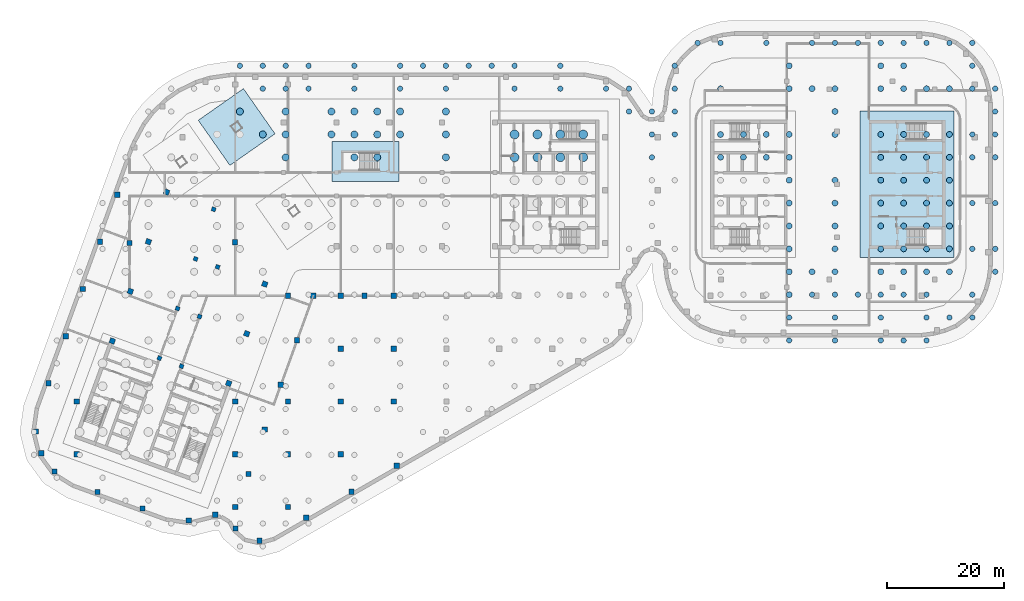
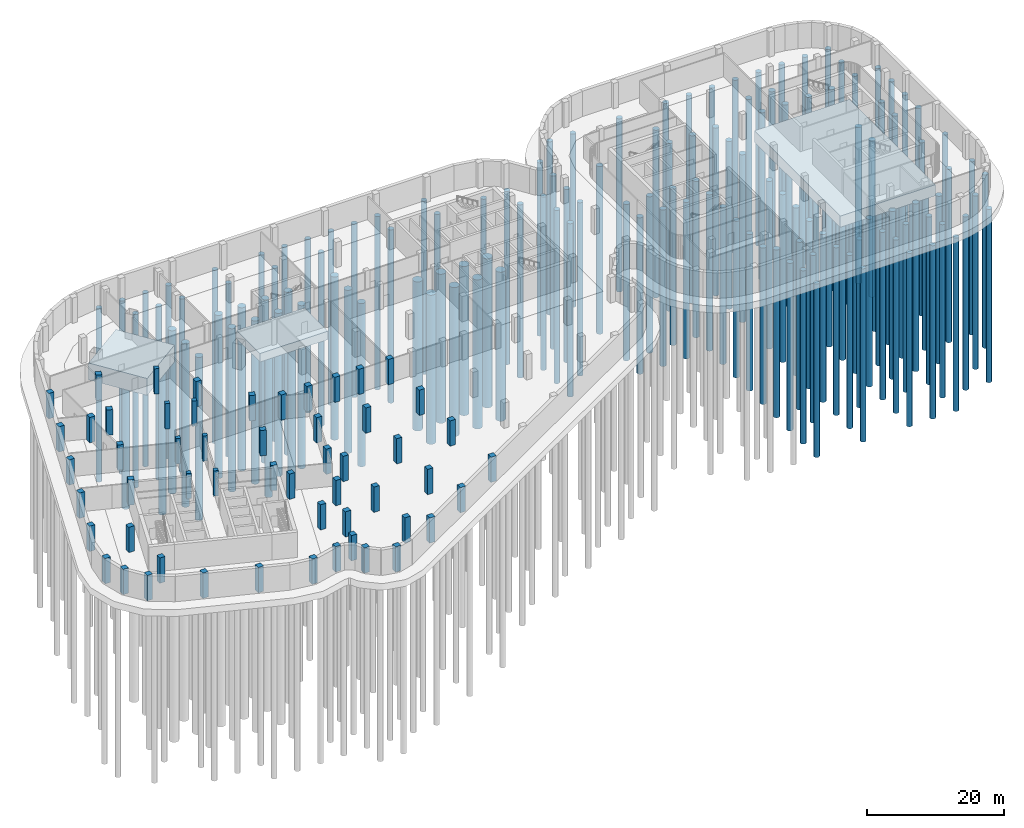
# One storey, part 2 of 18: 159 piles, 55 columns, 3 footings.
"""IFC4 building model written with IfcOpenShell, lengths in metres."""

import ifcopenshell
import ifcopenshell.guid

model = None  # the IFC model being written
_history = None  # IfcOwnerHistory: only IFC2X3 demands one
_inside = {}  # id of a spatial element -> (the spatial element, [elements in it])
_under = {}  # id of a project, library or spatial element -> (it, [spatial elements below it])
_declared = {}  # id of a project -> (the project, [libraries it declares])
_typed = {}  # id of a type object -> (the type object, [elements of that type])
_made_of = {}  # id of a material, layer set ... -> (it, [elements and type objects made of it])


def new_model(schema):
    """Start an empty IFC model of exactly this schema.

    Asked for "IFC4X3", IfcOpenShell would pick the latest addendum, in which some entities
    have other attributes; the version numbers below select the first issue.
    IFC2X3 requires an IfcOwnerHistory on every rooted entity: one is made here for all.
    """
    global model, _history
    if schema == "IFC4X3":
        model = ifcopenshell.file(schema_version=(4, 3, 0, 0))
    else:
        model = ifcopenshell.file(schema=schema)
    _inside.clear()
    _under.clear()
    _declared.clear()
    _typed.clear()
    _made_of.clear()
    _history = None
    if model.schema == "IFC2X3":
        org = make("IfcOrganization", Name="unknown")
        user = make(
            "IfcPersonAndOrganization",
            ThePerson=make("IfcPerson", FamilyName="unknown"),
            TheOrganization=org,
        )
        app = make(
            "IfcApplication",
            ApplicationDeveloper=org,
            Version="unknown",
            ApplicationFullName="unknown",
            ApplicationIdentifier="unknown",
        )
        _history = make(
            "IfcOwnerHistory",
            OwningUser=user,
            OwningApplication=app,
            ChangeAction="ADDED",
            CreationDate=0,
        )
    return model


def make(cls, **values):
    """One entity of the class cls with the attributes given. An attribute that is None is left unset."""
    return model.create_entity(
        cls, **{name: value for name, value in values.items() if value is not None}
    )


def rooted(cls, **values):
    """An entity with a GlobalId (a new one), such as an element, a storey or a relation."""
    return make(cls, GlobalId=ifcopenshell.guid.new(), OwnerHistory=_history, **values)


def si_unit(unit_type, name, prefix=None):
    """IfcSIUnit, for example si_unit("LENGTHUNIT", "METRE", prefix="MILLI")."""
    return make("IfcSIUnit", UnitType=unit_type, Prefix=prefix, Name=name)


def assignment(units):
    """IfcUnitAssignment: the units of a project."""
    return None if units is None else make("IfcUnitAssignment", Units=units)


def point(xyz):
    """IfcCartesianPoint."""
    return None if xyz is None else make("IfcCartesianPoint", Coordinates=xyz)


def direction(xyz):
    """IfcDirection."""
    return None if xyz is None else make("IfcDirection", DirectionRatios=xyz)


def frame(location, z_axis=None, x_axis=None):
    """IfcAxis2Placement3D, a coordinate frame: its origin and axes. An axis left out is left unset."""
    return make(
        "IfcAxis2Placement3D",
        Location=point(location),
        Axis=direction(z_axis),
        RefDirection=direction(x_axis),
    )


def frame_2d(location, x_axis=None):
    """IfcAxis2Placement2D, a coordinate frame in the plane: its origin and x axis."""
    return make(
        "IfcAxis2Placement2D", Location=point(location), RefDirection=direction(x_axis)
    )


def origin():
    """The frame at (0, 0, 0) with its axes left unset."""
    return frame((0.0, 0.0, 0.0))


def origin_2d():
    """The frame at (0, 0) in the plane with its x axis left unset."""
    return frame_2d((0.0, 0.0))


def place(relative_to, where):
    """IfcLocalPlacement: puts the frame where relative to a parent placement (None: the world)."""
    return make(
        "IfcLocalPlacement", PlacementRelTo=relative_to, RelativePlacement=where
    )


def context(
    kind, dimensions, precision=None, world=None, true_north=None, identifier=None
):
    """IfcGeometricRepresentationContext, for example the 3D "Model" context."""
    return make(
        "IfcGeometricRepresentationContext",
        ContextIdentifier=identifier,
        ContextType=kind,
        CoordinateSpaceDimension=dimensions,
        Precision=precision,
        WorldCoordinateSystem=world,
        TrueNorth=true_north,
    )


def subcontext(parent, identifier, kind, view, scale=None):
    """IfcGeometricRepresentationSubContext, for example "Body" below "Model"."""
    return make(
        "IfcGeometricRepresentationSubContext",
        ContextIdentifier=identifier,
        ContextType=kind,
        ParentContext=parent,
        TargetScale=scale,
        TargetView=view,
    )


def project(units=None, contexts=None):
    """IfcProject with its units and contexts."""
    return rooted(
        "IfcProject",
        Name="project",
        RepresentationContexts=contexts,
        UnitsInContext=assignment(units),
    )


def spatial(cls, under=None, at=None, **own):
    """A site, building, storey or space (cls), placed at a placement, below another one or the project."""
    s = rooted(cls, ObjectPlacement=at, **own)
    if under is not None:
        _under.setdefault(under.id(), (under, []))[1].append(s)
    return s


def polyline(points):
    """IfcPolyline through the points."""
    return make("IfcPolyline", Points=[point(p) for p in points])


def profile(cls, at=None, kind="AREA", **sizes):
    """A parametric profile (cls). Its sizes go by their IFC names, for example OverallWidth=200.0."""
    return make(cls, ProfileType=kind, Position=at, **sizes)


def rectangle(**sizes):
    """IfcRectangleProfileDef."""
    return profile("IfcRectangleProfileDef", **sizes)


def circle(**sizes):
    """IfcCircleProfileDef."""
    return profile("IfcCircleProfileDef", **sizes)


def outline(outer, holes=None, kind="AREA"):
    """IfcArbitraryClosedProfileDef: a profile drawn as a closed curve; with holes, ...WithVoids."""
    if holes is None:
        return make("IfcArbitraryClosedProfileDef", ProfileType=kind, OuterCurve=outer)
    return make(
        "IfcArbitraryProfileDefWithVoids",
        ProfileType=kind,
        OuterCurve=outer,
        InnerCurves=holes,
    )


def extrude(swept, where, along, depth):
    """IfcExtrudedAreaSolid: the profile swept, set in the frame where, extruded along a direction by depth."""
    return make(
        "IfcExtrudedAreaSolid",
        SweptArea=swept,
        Position=where,
        ExtrudedDirection=direction(along),
        Depth=depth,
    )


def shape(context_of_items, identifier, shape_type, items):
    """IfcShapeRepresentation: the items that make up one representation, for example the "Body"."""
    return make(
        "IfcShapeRepresentation",
        ContextOfItems=context_of_items,
        RepresentationIdentifier=identifier,
        RepresentationType=shape_type,
        Items=items,
    )


def material(Name=None, Category=None):
    """IfcMaterial."""
    return make("IfcMaterial", Name=Name, Category=Category)


def material_profile(
    of_material, cross_section, Name=None, Category=None, Priority=None
):
    """IfcMaterialProfile: a cross section and its material."""
    return make(
        "IfcMaterialProfile",
        Name=Name,
        Material=of_material,
        Profile=cross_section,
        Priority=Priority,
        Category=Category,
    )


def profile_set(profiles, Name=None, composite=None):
    """IfcMaterialProfileSet."""
    return make(
        "IfcMaterialProfileSet",
        Name=Name,
        MaterialProfiles=profiles,
        CompositeProfile=composite,
    )


def made_of(thing, what):
    """Note that an element or type object is made of a material, layer set ...; save() writes the relation."""
    if what is not None:
        _made_of.setdefault(what.id(), (what, []))[1].append(thing)
    return thing


def type_object(cls, material=None, **own):
    """A type object (cls), such as IfcWallType, which elements share."""
    return made_of(rooted(cls, **own), material)


def element(
    cls,
    number,
    at=None,
    inside=None,
    cuts=None,
    type_object=None,
    material=None,
    context=None,
    identifier="Body",
    shape_type=None,
    held_by="IfcProductDefinitionShape",
    body=None,
    shapes=None,
    **own,
):
    """One element of the class cls, such as IfcWall. Its Tag is "e" and its number.

    at: its placement. inside: the storey or other place that contains it. cuts: it is an
    opening in that element (IfcRelVoidsElement). A single representation is given by context,
    identifier, shape_type and body (its items); several are given by shapes. held_by: the class
    of the entity that holds the representations. save() writes the other relations.
    """
    e = rooted(cls, Tag="e%d" % number, ObjectPlacement=at, **own)
    if body is not None:
        shapes = [shape(context, identifier, shape_type, body)]
    if shapes is not None:
        e.Representation = make(held_by, Representations=shapes)
    if inside is not None:
        _inside.setdefault(inside.id(), (inside, []))[1].append(e)
    if cuts is not None:
        rooted(
            "IfcRelVoidsElement", RelatingBuildingElement=cuts, RelatedOpeningElement=e
        )
    if type_object is not None:
        _typed.setdefault(type_object.id(), (type_object, []))[1].append(e)
    return made_of(e, material)


def aggregate(whole, parts):
    """IfcRelAggregates: a whole, such as a stair, and the parts it consists of."""
    return rooted("IfcRelAggregates", RelatingObject=whole, RelatedObjects=parts)


def save(model, path):
    """Write the relations noted so far, then the file.

    IfcRelAggregates (storeys below a building ...), IfcRelContainedInSpatialStructure (elements
    in a storey), IfcRelDefinesByType, IfcRelAssociatesMaterial and IfcRelDeclares: one each for
    every whole, place, type object, material and project.
    """
    for whole, parts in _under.values():
        aggregate(whole, parts)
    for where, things in _inside.values():
        rooted(
            "IfcRelContainedInSpatialStructure",
            RelatedElements=things,
            RelatingStructure=where,
        )
    for kind, things in _typed.values():
        rooted("IfcRelDefinesByType", RelatedObjects=things, RelatingType=kind)
    for what, things in _made_of.values():
        rooted("IfcRelAssociatesMaterial", RelatedObjects=things, RelatingMaterial=what)
    for by, libraries in _declared.values():
        rooted("IfcRelDeclares", RelatingContext=by, RelatedDefinitions=libraries)
    model.write(path)


model = new_model("IFC4")

# Units and contexts
model_context = context("Model", 3, precision=1e-05, world=origin(), true_north=direction((0.0, 1.0)))
body_context = subcontext(model_context, "Body", "Model", "MODEL_VIEW")
ifc_project = project(units=[si_unit("LENGTHUNIT", "METRE"), si_unit("AREAUNIT", "SQUARE_METRE"), si_unit("VOLUMEUNIT", "CUBIC_METRE"), si_unit("PLANEANGLEUNIT", "RADIAN"), si_unit("MASSUNIT", "GRAM", prefix="KILO")], contexts=[model_context])

# Site, building, storey
site_placement = place(None, origin())
site = spatial("IfcSite", under=ifc_project, at=site_placement, CompositionType="ELEMENT")
building_placement = place(site_placement, origin())
building = spatial("IfcBuilding", under=site, at=building_placement, Name="Skarvind Civic Tower", CompositionType="ELEMENT")
storey_placement = place(building_placement, frame((0.0, 0.0, -9.0)))
storey = spatial("IfcBuildingStorey", under=building, at=storey_placement, Name="B2", CompositionType="ELEMENT", Elevation=-9.0)

# Piles
ifc_material_1 = material(Name="Concrete C40", Category="concrete")
pile_type_1 = type_object("IfcPileType", Name="Bored pile D1000 length 27800 top -13.200", PredefinedType="BORED", material=ifc_material_1)
for number, where, z_axis, x_axis, name in (
    (1, (128.699951171875, 132.60009765625, -4.199951171875), (0.0, 0.0, -1.0), (1.0, 0.0, 0.0), "Bored pile 282"),
    (2, (128.699951171875, 136.5, -4.199951171875), (0.0, 0.0, -1.0), (1.0, 0.0, 0.0), "Bored pile 283"),
    (3, (132.60009765625, 132.60009765625, -4.199951171875), (0.0, 0.0, -1.0), (1.0, 0.0, 0.0), "Bored pile 293"),
    (4, (132.60009765625, 136.5, -4.199951171875), (0.0, 0.0, -1.0), (1.0, 0.0, 0.0), "Bored pile 294"),
    (5, (136.5, 132.60009765625, -4.199951171875), (0.0, 0.0, -1.0), (1.0, 0.0, 0.0), "Bored pile 301"),
    (6, (136.5, 136.5, -4.199951171875), (0.0, 0.0, -1.0), (1.0, 0.0, 0.0), "Bored pile 302"),
    (7, (140.39990234375, 117.0, -4.199951171875), (0.0, 0.0, -1.0), (1.0, 0.0, 0.0), "Bored pile 308"),
    (8, (140.39990234375, 120.89990234375, -4.199951171875), (0.0, 0.0, -1.0), (1.0, 0.0, 0.0), "Bored pile 309"),
    (9, (140.39990234375, 124.800048828125, -4.199951171875), (0.0, 0.0, -1.0), (1.0, 0.0, 0.0), "Bored pile 310"),
    (10, (140.39990234375, 128.699951171875, -4.199951171875), (0.0, 0.0, -1.0), (1.0, 0.0, 0.0), "Bored pile 311"),
    (11, (140.39990234375, 132.60009765625, -4.199951171875), (0.0, 0.0, -1.0), (1.0, 0.0, 0.0), "Bored pile 312"),
    (12, (140.39990234375, 136.5, -4.199951171875), (0.0, 0.0, -1.0), (1.0, 0.0, 0.0), "Bored pile 313"),
    (13, (156.0, 117.0, -4.199951171875), (0.0, 0.0, -1.0), (1.0, 0.0, 0.0), "Bored pile 338"),
    (14, (156.0, 120.89990234375, -4.199951171875), (0.0, 0.0, -1.0), (1.0, 0.0, 0.0), "Bored pile 339"),
    (15, (156.0, 124.800048828125, -4.199951171875), (0.0, 0.0, -1.0), (1.0, 0.0, 0.0), "Bored pile 340"),
    (16, (156.0, 128.699951171875, -4.199951171875), (0.0, 0.0, -1.0), (1.0, 0.0, 0.0), "Bored pile 341"),
    (17, (156.0, 132.60009765625, -4.199951171875), (0.0, 0.0, -1.0), (1.0, 0.0, 0.0), "Bored pile 342"),
    (18, (156.0, 136.5, -4.199951171875), (0.0, 0.0, -1.0), (1.0, 0.0, 0.0), "Bored pile 343"),
    (19, (159.89990234375, 117.0, -4.199951171875), (0.0, 0.0, -1.0), (1.0, 0.0, 0.0), "Bored pile 350"),
    (20, (159.89990234375, 120.89990234375, -4.199951171875), (0.0, 0.0, -1.0), (1.0, 0.0, 0.0), "Bored pile 351"),
    (21, (159.89990234375, 124.800048828125, -4.199951171875), (0.0, 0.0, -1.0), (1.0, 0.0, 0.0), "Bored pile 352"),
    (22, (159.89990234375, 128.699951171875, -4.199951171875), (0.0, 0.0, -1.0), (1.0, 0.0, 0.0), "Bored pile 353"),
    (23, (159.89990234375, 132.60009765625, -4.199951171875), (0.0, 0.0, -1.0), (1.0, 0.0, 0.0), "Bored pile 354"),
    (24, (159.89990234375, 136.5, -4.199951171875), (0.0, 0.0, -1.0), (1.0, 0.0, 0.0), "Bored pile 355"),
    (25, (163.800048828125, 117.0, -4.199951171875), (0.0, 0.0, -1.0), (1.0, 0.0, 0.0), "Bored pile 363"),
    (26, (163.800048828125, 120.89990234375, -4.199951171875), (0.0, 0.0, -1.0), (1.0, 0.0, 0.0), "Bored pile 364"),
    (27, (163.800048828125, 124.800048828125, -4.199951171875), (0.0, 0.0, -1.0), (1.0, 0.0, 0.0), "Bored pile 365"),
    (28, (163.800048828125, 128.699951171875, -4.199951171875), (0.0, 0.0, -1.0), (1.0, 0.0, 0.0), "Bored pile 366"),
    (29, (163.800048828125, 132.60009765625, -4.199951171875), (0.0, 0.0, -1.0), (1.0, 0.0, 0.0), "Bored pile 367"),
    (30, (163.800048828125, 136.5, -4.199951171875), (0.0, 0.0, -1.0), (1.0, 0.0, 0.0), "Bored pile 368"),
    (31, (167.699951171875, 117.0, -4.199951171875), (0.0, 0.0, -1.0), (1.0, 0.0, 0.0), "Bored pile 373"),
    (32, (167.699951171875, 120.89990234375, -4.199951171875), (0.0, 0.0, -1.0), (1.0, 0.0, 0.0), "Bored pile 374"),
    (33, (167.699951171875, 124.800048828125, -4.199951171875), (0.0, 0.0, -1.0), (1.0, 0.0, 0.0), "Bored pile 375"),
    (34, (167.699951171875, 128.699951171875, -4.199951171875), (0.0, 0.0, -1.0), (1.0, 0.0, 0.0), "Bored pile 376"),
    (35, (167.699951171875, 132.60009765625, -4.199951171875), (0.0, 0.0, -1.0), (1.0, 0.0, 0.0), "Bored pile 377"),
    (36, (167.699951171875, 136.5, -4.199951171875), (0.0, 0.0, -1.0), (1.0, 0.0, 0.0), "Bored pile 378"),
):
    element("IfcPile", number, at=place(storey_placement, frame(where, z_axis=z_axis, x_axis=x_axis)), inside=storey, type_object=pile_type_1, Name=name, PredefinedType="BORED", context=body_context, shape_type="SweptSolid", body=[
        extrude(circle(Radius=0.5, at=origin_2d()), origin(), (0.0, 0.0, 1.0), 27.800048828125),
    ])
pile_type_2 = type_object("IfcPileType", Name="Bored pile D1000 length 29800 top -11.200", PredefinedType="BORED", material=ifc_material_1)
for number, where, z_axis, x_axis, name in (
    (37, (128.699951171875, 144.300048828125, -2.199951171875), (0.0, 0.0, -1.0), (1.0, 0.0, 0.0), "Bored pile 284"),
    (38, (140.39990234375, 109.199951171875, -2.199951171875), (0.0, 0.0, -1.0), (1.0, 0.0, 0.0), "Bored pile 306"),
    (39, (140.39990234375, 113.10009765625, -2.199951171875), (0.0, 0.0, -1.0), (1.0, 0.0, 0.0), "Bored pile 307"),
    (40, (140.39990234375, 144.300048828125, -2.199951171875), (0.0, 0.0, -1.0), (1.0, 0.0, 0.0), "Bored pile 314"),
    (41, (140.39990234375, 148.199951171875, -2.199951171875), (0.0, 0.0, -1.0), (1.0, 0.0, 0.0), "Bored pile 315"),
    (42, (144.300048828125, 113.10009765625, -2.199951171875), (0.0, 0.0, -1.0), (1.0, 0.0, 0.0), "Bored pile 317"),
    (43, (144.300048828125, 144.300048828125, -2.199951171875), (0.0, 0.0, -1.0), (1.0, 0.0, 0.0), "Bored pile 318"),
    (44, (148.199951171875, 113.10009765625, -2.199951171875), (0.0, 0.0, -1.0), (1.0, 0.0, 0.0), "Bored pile 323"),
    (45, (148.199951171875, 117.0, -2.199951171875), (0.0, 0.0, -1.0), (1.0, 0.0, 0.0), "Bored pile 324"),
    (46, (148.199951171875, 120.89990234375, -2.199951171875), (0.0, 0.0, -1.0), (1.0, 0.0, 0.0), "Bored pile 325"),
    (47, (148.199951171875, 124.800048828125, -2.199951171875), (0.0, 0.0, -1.0), (1.0, 0.0, 0.0), "Bored pile 326"),
    (48, (148.199951171875, 128.699951171875, -2.199951171875), (0.0, 0.0, -1.0), (1.0, 0.0, 0.0), "Bored pile 327"),
    (49, (148.199951171875, 136.5, -2.199951171875), (0.0, 0.0, -1.0), (1.0, 0.0, 0.0), "Bored pile 328"),
    (50, (148.199951171875, 140.39990234375, -2.199951171875), (0.0, 0.0, -1.0), (1.0, 0.0, 0.0), "Bored pile 329"),
    (51, (148.199951171875, 144.300048828125, -2.199951171875), (0.0, 0.0, -1.0), (1.0, 0.0, 0.0), "Bored pile 330"),
    (52, (156.0, 113.10009765625, -2.199951171875), (0.0, 0.0, -1.0), (1.0, 0.0, 0.0), "Bored pile 337"),
    (53, (156.0, 144.300048828125, -2.199951171875), (0.0, 0.0, -1.0), (1.0, 0.0, 0.0), "Bored pile 344"),
    (54, (156.0, 148.199951171875, -2.199951171875), (0.0, 0.0, -1.0), (1.0, 0.0, 0.0), "Bored pile 345"),
    (55, (159.89990234375, 113.10009765625, -2.199951171875), (0.0, 0.0, -1.0), (1.0, 0.0, 0.0), "Bored pile 349"),
    (56, (159.89990234375, 144.300048828125, -2.199951171875), (0.0, 0.0, -1.0), (1.0, 0.0, 0.0), "Bored pile 356"),
    (57, (159.89990234375, 148.199951171875, -2.199951171875), (0.0, 0.0, -1.0), (1.0, 0.0, 0.0), "Bored pile 357"),
    (58, (163.800048828125, 113.10009765625, -2.199951171875), (0.0, 0.0, -1.0), (1.0, 0.0, 0.0), "Bored pile 362"),
    (59, (163.800048828125, 144.300048828125, -2.199951171875), (0.0, 0.0, -1.0), (1.0, 0.0, 0.0), "Bored pile 369"),
    (60, (167.699951171875, 113.10009765625, -2.199951171875), (0.0, 0.0, -1.0), (1.0, 0.0, 0.0), "Bored pile 372"),
    (61, (167.699951171875, 144.300048828125, -2.199951171875), (0.0, 0.0, -1.0), (1.0, 0.0, 0.0), "Bored pile 379"),
):
    element("IfcPile", number, at=place(storey_placement, frame(where, z_axis=z_axis, x_axis=x_axis)), inside=storey, type_object=pile_type_2, Name=name, PredefinedType="BORED", context=body_context, shape_type="SweptSolid", body=[
        extrude(circle(Radius=0.5, at=origin_2d()), origin(), (0.0, 0.0, 1.0), 29.800048828125),
    ])
pile_type_3 = type_object("IfcPileType", Name="Bored pile D1200 length 26000 top -15.000", PredefinedType="BORED", material=ifc_material_1)
for number, where, z_axis, x_axis, name in (
    (62, (46.800048828125, 140.39990234375, -6.0), (0.0, 0.0, -1.0), (1.0, 0.0, 0.0), "Bored pile 096"),
    (63, (50.699951171875, 136.5, -6.0), (0.0, 0.0, -1.0), (1.0, 0.0, 0.0), "Bored pile 107"),
):
    element("IfcPile", number, at=place(storey_placement, frame(where, z_axis=z_axis, x_axis=x_axis)), inside=storey, type_object=pile_type_3, Name=name, PredefinedType="BORED", context=body_context, shape_type="SweptSolid", body=[
        extrude(circle(Radius=0.60009765625, at=origin_2d()), origin(), (0.0, 0.0, 1.0), 26.0),
    ])
pile_type_4 = type_object("IfcPileType", Name="Bored pile D1200 length 27500 top -13.500", PredefinedType="BORED", material=ifc_material_1)
for number, where, z_axis, x_axis, name in (
    (64, (66.300048828125, 132.60009765625, -4.5), (0.0, 0.0, -1.0), (1.0, 0.0, 0.0), "Bored pile 152"),
    (65, (70.199951171875, 132.60009765625, -4.5), (0.0, 0.0, -1.0), (1.0, 0.0, 0.0), "Bored pile 162"),
):
    element("IfcPile", number, at=place(storey_placement, frame(where, z_axis=z_axis, x_axis=x_axis)), inside=storey, type_object=pile_type_4, Name=name, PredefinedType="BORED", context=body_context, shape_type="SweptSolid", body=[
        extrude(circle(Radius=0.60009765625, at=origin_2d()), origin(), (0.0, 0.0, 1.0), 27.5),
    ])
pile_type_5 = type_object("IfcPileType", Name="Bored pile D1200 length 29000 top -12.000", PredefinedType="BORED", material=ifc_material_1)
for number, where, z_axis, x_axis, name in (
    (66, (54.60009765625, 132.60009765625, -3.0), (0.0, 0.0, -1.0), (1.0, 0.0, 0.0), "Bored pile 119"),
    (67, (54.60009765625, 136.5, -3.0), (0.0, 0.0, -1.0), (1.0, 0.0, 0.0), "Bored pile 120"),
    (68, (54.60009765625, 140.39990234375, -3.0), (0.0, 0.0, -1.0), (1.0, 0.0, 0.0), "Bored pile 121"),
    (69, (62.39990234375, 136.5, -3.0), (0.0, 0.0, -1.0), (1.0, 0.0, 0.0), "Bored pile 142"),
    (70, (62.39990234375, 140.39990234375, -3.0), (0.0, 0.0, -1.0), (1.0, 0.0, 0.0), "Bored pile 143"),
    (71, (66.300048828125, 136.5, -3.0), (0.0, 0.0, -1.0), (1.0, 0.0, 0.0), "Bored pile 153"),
    (72, (66.300048828125, 140.39990234375, -3.0), (0.0, 0.0, -1.0), (1.0, 0.0, 0.0), "Bored pile 154"),
    (73, (70.199951171875, 136.5, -3.0), (0.0, 0.0, -1.0), (1.0, 0.0, 0.0), "Bored pile 163"),
    (74, (70.199951171875, 140.39990234375, -3.0), (0.0, 0.0, -1.0), (1.0, 0.0, 0.0), "Bored pile 164"),
    (75, (74.10009765625, 136.5, -3.0), (0.0, 0.0, -1.0), (1.0, 0.0, 0.0), "Bored pile 174"),
    (76, (74.10009765625, 140.39990234375, -3.0), (0.0, 0.0, -1.0), (1.0, 0.0, 0.0), "Bored pile 175"),
    (77, (81.89990234375, 132.60009765625, -3.0), (0.0, 0.0, -1.0), (1.0, 0.0, 0.0), "Bored pile 195"),
    (78, (81.89990234375, 136.5, -3.0), (0.0, 0.0, -1.0), (1.0, 0.0, 0.0), "Bored pile 196"),
    (79, (81.89990234375, 140.39990234375, -3.0), (0.0, 0.0, -1.0), (1.0, 0.0, 0.0), "Bored pile 197"),
):
    element("IfcPile", number, at=place(storey_placement, frame(where, z_axis=z_axis, x_axis=x_axis)), inside=storey, type_object=pile_type_5, Name=name, PredefinedType="BORED", context=body_context, shape_type="SweptSolid", body=[
        extrude(circle(Radius=0.60009765625, at=origin_2d()), origin(), (0.0, 0.0, 1.0), 29.0),
    ])
pile_type_6 = type_object("IfcPileType", Name="Bored pile D1500 length 26500 top -14.500", PredefinedType="BORED", material=ifc_material_1)
for number, where, z_axis, x_axis, name in (
    (80, (93.60009765625, 132.60009765625, -5.5), (0.0, 0.0, -1.0), (1.0, 0.0, 0.0), "Bored pile 215"),
    (81, (93.60009765625, 136.5, -5.5), (0.0, 0.0, -1.0), (1.0, 0.0, 0.0), "Bored pile 216"),
    (82, (97.5, 132.60009765625, -5.5), (0.0, 0.0, -1.0), (1.0, 0.0, 0.0), "Bored pile 226"),
    (83, (97.5, 136.5, -5.5), (0.0, 0.0, -1.0), (1.0, 0.0, 0.0), "Bored pile 227"),
    (84, (101.39990234375, 132.60009765625, -5.5), (0.0, 0.0, -1.0), (1.0, 0.0, 0.0), "Bored pile 235"),
    (85, (101.39990234375, 136.5, -5.5), (0.0, 0.0, -1.0), (1.0, 0.0, 0.0), "Bored pile 236"),
    (86, (105.300048828125, 132.60009765625, -5.5), (0.0, 0.0, -1.0), (1.0, 0.0, 0.0), "Bored pile 246"),
    (87, (105.300048828125, 136.5, -5.5), (0.0, 0.0, -1.0), (1.0, 0.0, 0.0), "Bored pile 247"),
):
    element("IfcPile", number, at=place(storey_placement, frame(where, z_axis=z_axis, x_axis=x_axis)), inside=storey, type_object=pile_type_6, Name=name, PredefinedType="BORED", context=body_context, shape_type="SweptSolid", body=[
        extrude(circle(Radius=0.75, at=origin_2d()), origin(), (0.0, 0.0, 1.0), 26.5),
    ])
pile_type_7 = type_object("IfcPileType", Name="Bored pile D900 length 29800 top -11.200", PredefinedType="BORED", material=ifc_material_1)
for number, where, z_axis, x_axis, name in (
    (88, (144.300048828125, 109.199951171875, -2.199951171875), (0.0, 0.0, -1.0), (1.0, 0.0, 0.0), "Bored pile 316"),
    (89, (148.199951171875, 109.199951171875, -2.199951171875), (0.0, 0.0, -1.0), (1.0, 0.0, 0.0), "Bored pile 322"),
    (90, (152.10009765625, 109.199951171875, -2.199951171875), (0.0, 0.0, -1.0), (1.0, 0.0, 0.0), "Bored pile 332"),
    (91, (156.0, 109.199951171875, -2.199951171875), (0.0, 0.0, -1.0), (1.0, 0.0, 0.0), "Bored pile 336"),
    (92, (159.89990234375, 109.199951171875, -2.199951171875), (0.0, 0.0, -1.0), (1.0, 0.0, 0.0), "Bored pile 348"),
    (93, (163.800048828125, 109.199951171875, -2.199951171875), (0.0, 0.0, -1.0), (1.0, 0.0, 0.0), "Bored pile 361"),
):
    element("IfcPile", number, at=place(storey_placement, frame(where, z_axis=z_axis, x_axis=x_axis)), inside=storey, type_object=pile_type_7, Name=name, PredefinedType="BORED", context=body_context, shape_type="SweptSolid", body=[
        extrude(circle(Radius=0.449951171875, at=origin_2d()), origin(), (0.0, 0.0, 1.0), 29.800048828125),
    ])
pile_type_8 = type_object("IfcPileType", Name="Bored pile D900 length 30800 top -10.200", PredefinedType="BORED", material=ifc_material_1)
for number, where, z_axis, x_axis, name in (
    (94, (46.800048828125, 148.199951171875, -1.199951171875), (0.0, 0.0, -1.0), (1.0, 0.0, 0.0), "Bored pile 097"),
    (95, (50.699951171875, 144.300048828125, -1.199951171875), (0.0, 0.0, -1.0), (1.0, 0.0, 0.0), "Bored pile 108"),
    (96, (50.699951171875, 148.199951171875, -1.199951171875), (0.0, 0.0, -1.0), (1.0, 0.0, 0.0), "Bored pile 109"),
    (97, (54.60009765625, 144.300048828125, -1.199951171875), (0.0, 0.0, -1.0), (1.0, 0.0, 0.0), "Bored pile 122"),
    (98, (54.60009765625, 148.199951171875, -1.199951171875), (0.0, 0.0, -1.0), (1.0, 0.0, 0.0), "Bored pile 123"),
    (99, (58.5, 144.300048828125, -1.199951171875), (0.0, 0.0, -1.0), (1.0, 0.0, 0.0), "Bored pile 131"),
    (100, (58.5, 148.199951171875, -1.199951171875), (0.0, 0.0, -1.0), (1.0, 0.0, 0.0), "Bored pile 132"),
    (101, (66.300048828125, 144.300048828125, -1.199951171875), (0.0, 0.0, -1.0), (1.0, 0.0, 0.0), "Bored pile 155"),
    (102, (66.300048828125, 148.199951171875, -1.199951171875), (0.0, 0.0, -1.0), (1.0, 0.0, 0.0), "Bored pile 156"),
    (103, (74.10009765625, 144.300048828125, -1.199951171875), (0.0, 0.0, -1.0), (1.0, 0.0, 0.0), "Bored pile 176"),
    (104, (74.10009765625, 148.199951171875, -1.199951171875), (0.0, 0.0, -1.0), (1.0, 0.0, 0.0), "Bored pile 177"),
    (105, (78.0, 148.199951171875, -1.199951171875), (0.0, 0.0, -1.0), (1.0, 0.0, 0.0), "Bored pile 183"),
    (106, (81.89990234375, 144.300048828125, -1.199951171875), (0.0, 0.0, -1.0), (1.0, 0.0, 0.0), "Bored pile 198"),
    (107, (81.89990234375, 148.199951171875, -1.199951171875), (0.0, 0.0, -1.0), (1.0, 0.0, 0.0), "Bored pile 199"),
    (108, (85.800048828125, 148.199951171875, -1.199951171875), (0.0, 0.0, -1.0), (1.0, 0.0, 0.0), "Bored pile 202"),
    (109, (89.699951171875, 148.199951171875, -1.199951171875), (0.0, 0.0, -1.0), (1.0, 0.0, 0.0), "Bored pile 207"),
    (110, (93.60009765625, 144.300048828125, -1.199951171875), (0.0, 0.0, -1.0), (1.0, 0.0, 0.0), "Bored pile 217"),
    (111, (93.60009765625, 148.199951171875, -1.199951171875), (0.0, 0.0, -1.0), (1.0, 0.0, 0.0), "Bored pile 218"),
    (112, (101.39990234375, 144.300048828125, -1.199951171875), (0.0, 0.0, -1.0), (1.0, 0.0, 0.0), "Bored pile 237"),
    (113, (101.39990234375, 148.199951171875, -1.199951171875), (0.0, 0.0, -1.0), (1.0, 0.0, 0.0), "Bored pile 238"),
    (114, (109.199951171875, 144.300048828125, -1.199951171875), (0.0, 0.0, -1.0), (1.0, 0.0, 0.0), "Bored pile 250"),
    (115, (113.10009765625, 140.39990234375, -1.199951171875), (0.0, 0.0, -1.0), (1.0, 0.0, 0.0), "Bored pile 256"),
    (116, (113.10009765625, 144.300048828125, -1.199951171875), (0.0, 0.0, -1.0), (1.0, 0.0, 0.0), "Bored pile 257"),
    (117, (117.0, 132.60009765625, -1.199951171875), (0.0, 0.0, -1.0), (1.0, 0.0, 0.0), "Bored pile 262"),
    (118, (117.0, 136.5, -1.199951171875), (0.0, 0.0, -1.0), (1.0, 0.0, 0.0), "Bored pile 263"),
    (119, (117.0, 140.39990234375, -1.199951171875), (0.0, 0.0, -1.0), (1.0, 0.0, 0.0), "Bored pile 264"),
    (120, (120.89990234375, 136.5, -1.199951171875), (0.0, 0.0, -1.0), (1.0, 0.0, 0.0), "Bored pile 269"),
    (121, (120.89990234375, 140.39990234375, -1.199951171875), (0.0, 0.0, -1.0), (1.0, 0.0, 0.0), "Bored pile 270"),
    (122, (120.89990234375, 144.300048828125, -1.199951171875), (0.0, 0.0, -1.0), (1.0, 0.0, 0.0), "Bored pile 271"),
    (123, (120.89990234375, 148.199951171875, -1.199951171875), (0.0, 0.0, -1.0), (1.0, 0.0, 0.0), "Bored pile 272"),
    (124, (124.800048828125, 152.10009765625, -1.199951171875), (0.0, 0.0, -1.0), (1.0, 0.0, 0.0), "Bored pile 274"),
    (125, (128.699951171875, 152.10009765625, -1.199951171875), (0.0, 0.0, -1.0), (1.0, 0.0, 0.0), "Bored pile 285"),
    (126, (136.5, 152.10009765625, -1.199951171875), (0.0, 0.0, -1.0), (1.0, 0.0, 0.0), "Bored pile 303"),
    (127, (140.39990234375, 101.39990234375, -1.199951171875), (0.0, 0.0, -1.0), (1.0, 0.0, 0.0), "Bored pile 304"),
    (128, (140.39990234375, 105.300048828125, -1.199951171875), (0.0, 0.0, -1.0), (1.0, 0.0, 0.0), "Bored pile 305"),
    (129, (144.300048828125, 152.10009765625, -1.199951171875), (0.0, 0.0, -1.0), (1.0, 0.0, 0.0), "Bored pile 319"),
    (130, (148.199951171875, 101.39990234375, -1.199951171875), (0.0, 0.0, -1.0), (1.0, 0.0, 0.0), "Bored pile 320"),
    (131, (148.199951171875, 105.300048828125, -1.199951171875), (0.0, 0.0, -1.0), (1.0, 0.0, 0.0), "Bored pile 321"),
    (132, (148.199951171875, 152.10009765625, -1.199951171875), (0.0, 0.0, -1.0), (1.0, 0.0, 0.0), "Bored pile 331"),
    (133, (152.10009765625, 152.10009765625, -1.199951171875), (0.0, 0.0, -1.0), (1.0, 0.0, 0.0), "Bored pile 333"),
    (134, (156.0, 101.39990234375, -1.199951171875), (0.0, 0.0, -1.0), (1.0, 0.0, 0.0), "Bored pile 334"),
    (135, (156.0, 105.300048828125, -1.199951171875), (0.0, 0.0, -1.0), (1.0, 0.0, 0.0), "Bored pile 335"),
    (136, (156.0, 152.10009765625, -1.199951171875), (0.0, 0.0, -1.0), (1.0, 0.0, 0.0), "Bored pile 346"),
    (137, (159.89990234375, 101.39990234375, -1.199951171875), (0.0, 0.0, -1.0), (1.0, 0.0, 0.0), "Bored pile 347"),
    (138, (159.89990234375, 152.10009765625, -1.199951171875), (0.0, 0.0, -1.0), (1.0, 0.0, 0.0), "Bored pile 358"),
    (139, (163.800048828125, 101.39990234375, -1.199951171875), (0.0, 0.0, -1.0), (1.0, 0.0, 0.0), "Bored pile 359"),
    (140, (163.800048828125, 105.300048828125, -1.199951171875), (0.0, 0.0, -1.0), (1.0, 0.0, 0.0), "Bored pile 360"),
    (141, (163.800048828125, 152.10009765625, -1.199951171875), (0.0, 0.0, -1.0), (1.0, 0.0, 0.0), "Bored pile 370"),
    (142, (167.699951171875, 105.300048828125, -1.199951171875), (0.0, 0.0, -1.0), (1.0, 0.0, 0.0), "Bored pile 371"),
    (143, (167.699951171875, 152.10009765625, -1.199951171875), (0.0, 0.0, -1.0), (1.0, 0.0, 0.0), "Bored pile 380"),
    (144, (171.60009765625, 105.300048828125, -1.199951171875), (0.0, 0.0, -1.0), (1.0, 0.0, 0.0), "Bored pile 381"),
    (145, (171.60009765625, 109.199951171875, -1.199951171875), (0.0, 0.0, -1.0), (1.0, 0.0, 0.0), "Bored pile 382"),
    (146, (171.60009765625, 117.0, -1.199951171875), (0.0, 0.0, -1.0), (1.0, 0.0, 0.0), "Bored pile 383"),
    (147, (171.60009765625, 124.800048828125, -1.199951171875), (0.0, 0.0, -1.0), (1.0, 0.0, 0.0), "Bored pile 384"),
    (148, (171.60009765625, 132.60009765625, -1.199951171875), (0.0, 0.0, -1.0), (1.0, 0.0, 0.0), "Bored pile 385"),
    (149, (171.60009765625, 136.5, -1.199951171875), (0.0, 0.0, -1.0), (1.0, 0.0, 0.0), "Bored pile 386"),
    (150, (171.60009765625, 144.300048828125, -1.199951171875), (0.0, 0.0, -1.0), (1.0, 0.0, 0.0), "Bored pile 387"),
    (151, (171.60009765625, 148.199951171875, -1.199951171875), (0.0, 0.0, -1.0), (1.0, 0.0, 0.0), "Bored pile 388"),
    (152, (171.60009765625, 152.10009765625, -1.199951171875), (0.0, 0.0, -1.0), (1.0, 0.0, 0.0), "Bored pile 389"),
    (153, (175.5, 113.10009765625, -1.199951171875), (0.0, 0.0, -1.0), (1.0, 0.0, 0.0), "Bored pile 390"),
    (154, (175.5, 117.0, -1.199951171875), (0.0, 0.0, -1.0), (1.0, 0.0, 0.0), "Bored pile 391"),
    (155, (175.5, 124.800048828125, -1.199951171875), (0.0, 0.0, -1.0), (1.0, 0.0, 0.0), "Bored pile 392"),
    (156, (175.5, 132.60009765625, -1.199951171875), (0.0, 0.0, -1.0), (1.0, 0.0, 0.0), "Bored pile 393"),
    (157, (175.5, 136.5, -1.199951171875), (0.0, 0.0, -1.0), (1.0, 0.0, 0.0), "Bored pile 394"),
    (158, (175.5, 140.39990234375, -1.199951171875), (0.0, 0.0, -1.0), (1.0, 0.0, 0.0), "Bored pile 395"),
    (159, (175.5, 144.300048828125, -1.199951171875), (0.0, 0.0, -1.0), (1.0, 0.0, 0.0), "Bored pile 396"),
):
    element("IfcPile", number, at=place(storey_placement, frame(where, z_axis=z_axis, x_axis=x_axis)), inside=storey, type_object=pile_type_8, Name=name, PredefinedType="BORED", context=body_context, shape_type="SweptSolid", body=[
        extrude(circle(Radius=0.449951171875, at=origin_2d()), origin(), (0.0, 0.0, 1.0), 30.800048828125),
    ])

# Footings
ifc_material_2 = material(Name="Concrete C50", Category="concrete")
footing_type_1 = type_object("IfcFootingType", Name="Pile cap 1500 top -12.000", PredefinedType="PILE_CAP", material=ifc_material_2)
footing_1_placement = place(storey_placement, frame((0.0, 0.0, -4.5)))
element("IfcFooting", 160, at=footing_1_placement, inside=storey, type_object=footing_type_1, Name="Pile cap core CM", PredefinedType="PILE_CAP", context=body_context, shape_type="SweptSolid", body=[
    extrude(outline(polyline([(73.89990234375, 128.5), (73.89990234375, 135.300048828125), (62.5, 135.300048828125), (62.5, 128.5), (73.89990234375, 128.5)])), origin(), (0.0, 0.0, 1.0), 1.5),
])
footing_type_2 = type_object("IfcFootingType", Name="Pile cap 2000 top -11.200", PredefinedType="PILE_CAP", material=ifc_material_2)
footing_2_placement = place(storey_placement, frame((0.0, 0.0, -4.199951171875)))
element("IfcFooting", 161, at=footing_2_placement, inside=storey, type_object=footing_type_2, Name="Pile cap core CB", PredefinedType="PILE_CAP", context=body_context, shape_type="SweptSolid", body=[
    extrude(outline(polyline([(152.5, 140.5), (152.5, 115.5), (168.5, 115.5), (168.5, 140.5), (152.5, 140.5)])), origin(), (0.0, 0.0, 1.0), 2.0),
])
footing_type_3 = type_object("IfcFootingType", Name="Pile cap 3000 top -12.000", PredefinedType="PILE_CAP", material=ifc_material_2)
footing_3_placement = place(storey_placement, frame((0.0, 0.0, -6.0)))
element("IfcFooting", 162, at=footing_3_placement, inside=storey, type_object=footing_type_3, Name="Pile cap mega column 2", PredefinedType="PILE_CAP", context=body_context, shape_type="SweptSolid", body=[
    extrude(outline(polyline([(45.093017578125, 131.216552734375), (52.79296875, 136.608154296875), (47.4013671875, 144.30810546875), (39.701416015625, 138.91650390625), (45.093017578125, 131.216552734375)])), origin(), (0.0, 0.0, 1.0), 3.0),
])

# Columns
ifc_material_3 = material(Name="Concrete C60", Category="concrete")
ifc_material_profile_1 = material_profile(ifc_material_3, rectangle(XDim=0.699951171875, YDim=0.699951171875, at=origin_2d()), Name="RC-700x700")
ifc_profile_set_1 = profile_set([ifc_material_profile_1], Name="Concrete C60")
column_type_1 = type_object("IfcColumnType", Name="Column RC-700x700 C60", PredefinedType="COLUMN", material=ifc_profile_set_1)
for number, where, z_axis, x_axis, name in (
    (163, (43.005615234375, 113.92529296875, 0.0), (0.0, 0.0, 1.0), (-0.342020143326, -0.939692620786, 0.0), "Column wing 2 left inner 02 B2"),
    (164, (39.927490234375, 105.468017578125, 0.0), (0.0, 0.0, 1.0), (-0.342020143326, -0.939692620786, 0.0), "Column wing 2 left inner 03 B2"),
    (165, (36.84912109375, 97.010986328125, 0.0), (0.0, 0.0, 1.0), (-0.342020143326, -0.939692620786, 0.0), "Column wing 2 left inner 04 B2"),
    (166, (42.324951171875, 123.750732421875, 0.0), (0.0, 0.0, 1.0), (-0.342020143326, -0.939692620786, 0.0), "Column wing 2 right inner 01 B2"),
    (167, (39.246826171875, 115.29345703125, 0.0), (0.0, 0.0, 1.0), (-0.342020143326, -0.939692620786, 0.0), "Column wing 2 right inner 02 B2"),
    (168, (36.168701171875, 106.836181640625, 0.0), (0.0, 0.0, 1.0), (-0.342020143326, -0.939692620786, 0.0), "Column wing 2 right inner 03 B2"),
    (169, (33.090576171875, 98.37890625, 0.0), (0.0, 0.0, 1.0), (-0.342020143326, -0.939692620786, 0.0), "Column wing 2 right inner 04 B2"),
):
    element("IfcColumn", number, at=place(storey_placement, frame(where, z_axis=z_axis, x_axis=x_axis)), inside=storey, type_object=column_type_1, Name=name, PredefinedType="COLUMN", context=body_context, shape_type="SweptSolid", body=[
        extrude(rectangle(XDim=0.699951171875, YDim=0.699951171875, at=origin_2d()), origin(), (0.0, 0.0, 1.0), 4.5),
    ])
ifc_material_profile_2 = material_profile(ifc_material_3, rectangle(XDim=0.89990234375, YDim=0.89990234375, at=origin_2d()), Name="RC-900x900")
ifc_profile_set_2 = profile_set([ifc_material_profile_2], Name="Concrete C60")
column_type_2 = type_object("IfcColumnType", Name="Column RC-900x900 C60", PredefinedType="COLUMN", material=ifc_profile_set_2)
for number, where, z_axis, x_axis, name in (
    (170, (19.0, 82.0, 0.0), (0.0, 0.0, 1.0), (1.0, 0.0, 0.0), "Column podium grid 68 B2"),
    (171, (19.0, 91.0, 0.0), (0.0, 0.0, 1.0), (1.0, 0.0, 0.0), "Column podium grid 69 B2"),
    (172, (28.0, 118.0, 0.0), (0.0, 0.0, 1.0), (1.0, 0.0, 0.0), "Column podium grid 70 B2"),
    (173, (46.0, 73.0, 0.0), (0.0, 0.0, 1.0), (1.0, 0.0, 0.0), "Column podium grid 72 B2"),
    (174, (46.0, 82.0, 0.0), (0.0, 0.0, 1.0), (1.0, 0.0, 0.0), "Column podium grid 73 B2"),
    (175, (46.0, 91.0, 0.0), (0.0, 0.0, 1.0), (1.0, 0.0, 0.0), "Column podium grid 74 B2"),
    (176, (55.0, 73.0, 0.0), (0.0, 0.0, 1.0), (1.0, 0.0, 0.0), "Column podium grid 76 B2"),
    (177, (55.0, 82.0, 0.0), (0.0, 0.0, 1.0), (1.0, 0.0, 0.0), "Column podium grid 77 B2"),
    (178, (55.0, 91.0, 0.0), (0.0, 0.0, 1.0), (1.0, 0.0, 0.0), "Column podium grid 78 B2"),
    (179, (55.0, 109.0, 0.0), (0.0, 0.0, 1.0), (1.0, 0.0, 0.0), "Column podium grid 79 B2"),
    (180, (64.0, 82.0, 0.0), (0.0, 0.0, 1.0), (1.0, 0.0, 0.0), "Column podium grid 81 B2"),
    (181, (64.0, 91.0, 0.0), (0.0, 0.0, 1.0), (1.0, 0.0, 0.0), "Column podium grid 82 B2"),
    (182, (64.0, 100.0, 0.0), (0.0, 0.0, 1.0), (1.0, 0.0, 0.0), "Column podium grid 83 B2"),
    (183, (64.0, 109.0, 0.0), (0.0, 0.0, 1.0), (1.0, 0.0, 0.0), "Column podium grid 84 B2"),
    (184, (73.0, 91.0, 0.0), (0.0, 0.0, 1.0), (1.0, 0.0, 0.0), "Column podium grid 85 B2"),
    (185, (73.0, 100.0, 0.0), (0.0, 0.0, 1.0), (1.0, 0.0, 0.0), "Column podium grid 86 B2"),
    (186, (73.0, 109.0, 0.0), (0.0, 0.0, 1.0), (1.0, 0.0, 0.0), "Column podium grid 87 B2"),
    (187, (50.135498046875, 67.277099609375, 0.0), (0.0, 0.0, 1.0), (1.0, 0.0, 0.0), "Column podium edge 01 B2"),
    (188, (46.0517578125, 69.341796875, 0.0), (0.0, 0.0, 1.0), (1.0, 0.0, 0.0), "Column podium edge 02 B2"),
    (189, (42.575927734375, 71.690673828125, 0.0), (0.0, 0.0, 1.0), (1.0, 0.0, 0.0), "Column podium edge 03 B2"),
    (190, (38.081787109375, 70.70361328125, 0.0), (0.0, 0.0, 1.0), (1.0, 0.0, 0.0), "Column podium edge 04 B2"),
    (191, (30.215087890625, 72.767822265625, 0.0), (0.0, 0.0, 1.0), (1.0, 0.0, 0.0), "Column podium edge 05 B2"),
    (192, (22.53515625, 75.56298828125, 0.0), (0.0, 0.0, 1.0), (1.0, 0.0, 0.0), "Column podium edge 06 B2"),
    (193, (15.204833984375, 79.07763671875, 0.0), (0.0, 0.0, 1.0), (1.0, 0.0, 0.0), "Column podium edge 07 B2"),
    (194, (12.957763671875, 82.1640625, 0.0), (0.0, 0.0, 1.0), (1.0, 0.0, 0.0), "Column podium edge 08 B2"),
    (195, (12.037841796875, 85.869384765625, 0.0), (0.0, 0.0, 1.0), (1.0, 0.0, 0.0), "Column podium edge 09 B2"),
    (196, (14.1865234375, 94.0986328125, 0.0), (0.0, 0.0, 1.0), (1.0, 0.0, 0.0), "Column podium edge 10 B2"),
    (197, (17.11083984375, 102.133056640625, 0.0), (0.0, 0.0, 1.0), (1.0, 0.0, 0.0), "Column podium edge 11 B2"),
    (198, (20.03515625, 110.167724609375, 0.0), (0.0, 0.0, 1.0), (1.0, 0.0, 0.0), "Column podium edge 12 B2"),
    (199, (22.95947265625, 118.2021484375, 0.0), (0.0, 0.0, 1.0), (1.0, 0.0, 0.0), "Column podium edge 13 B2"),
    (200, (25.8837890625, 126.236572265625, 0.0), (0.0, 0.0, 1.0), (1.0, 0.0, 0.0), "Column podium edge 14 B2"),
    (201, (73.543701171875, 80.065673828125, 0.0), (0.0, 0.0, 1.0), (1.0, 0.0, 0.0), "Column podium edge 54 B2"),
    (202, (65.818359375, 75.619384765625, 0.0), (0.0, 0.0, 1.0), (1.0, 0.0, 0.0), "Column podium edge 55 B2"),
    (203, (58.093017578125, 71.173095703125, 0.0), (0.0, 0.0, 1.0), (1.0, 0.0, 0.0), "Column podium edge 56 B2"),
    (204, (48.256591796875, 78.647705078125, 0.0), (0.0, 0.0, 1.0), (1.0, 0.0, 0.0), "Column podium edge 57 B2"),
    (205, (51.0185546875, 86.23583984375, 0.0), (0.0, 0.0, 1.0), (1.0, 0.0, 0.0), "Column podium edge 58 B2"),
    (206, (53.7802734375, 93.823974609375, 0.0), (0.0, 0.0, 1.0), (1.0, 0.0, 0.0), "Column podium edge 59 B2"),
    (207, (56.5419921875, 101.411865234375, 0.0), (0.0, 0.0, 1.0), (1.0, 0.0, 0.0), "Column podium edge 60 B2"),
    (208, (59.303955078125, 109.0, 0.0), (0.0, 0.0, 1.0), (1.0, 0.0, 0.0), "Column podium edge 61 B2"),
    (209, (68.033203125, 109.0, 0.0), (0.0, 0.0, 1.0), (1.0, 0.0, 0.0), "Column podium edge 62 B2"),
):
    element("IfcColumn", number, at=place(storey_placement, frame(where, z_axis=z_axis, x_axis=x_axis)), inside=storey, type_object=column_type_2, Name=name, PredefinedType="COLUMN", context=body_context, shape_type="SweptSolid", body=[
        extrude(rectangle(XDim=0.89990234375, YDim=0.89990234375, at=origin_2d()), origin(), (0.0, 0.0, 1.0), 4.5),
    ])
ifc_material_4 = material(Name="Concrete C80", Category="concrete")
ifc_material_profile_3 = material_profile(ifc_material_4, rectangle(XDim=0.89990234375, YDim=0.89990234375, at=origin_2d()), Name="RC-900x900")
ifc_profile_set_3 = profile_set([ifc_material_profile_3], Name="Concrete C80")
column_type_3 = type_object("IfcColumnType", Name="Column RC-900x900 C80", PredefinedType="COLUMN", material=ifc_profile_set_3)
for number, where, z_axis, x_axis, name in (
    (210, (45.95166015625, 118.151611328125, 0.0), (0.0, 0.0, 1.0), (1.0, 0.0, 0.0), "Column wing 1 south perimeter 01 B2"),
    (211, (51.0400390625, 111.0009765625, 0.0), (0.0, 0.0, 1.0), (-0.342020143326, -0.939692620786, 0.0), "Column wing 2 left perimeter 02 B2"),
    (212, (47.961669921875, 102.5439453125, 0.0), (0.0, 0.0, 1.0), (-0.342020143326, -0.939692620786, 0.0), "Column wing 2 left perimeter 03 B2"),
    (213, (44.883544921875, 94.086669921875, 0.0), (0.0, 0.0, 1.0), (-0.342020143326, -0.939692620786, 0.0), "Column wing 2 left perimeter 04 B2"),
    (214, (34.29052734375, 126.6748046875, 0.0), (0.0, 0.0, 1.0), (-0.342020143326, -0.939692620786, 0.0), "Column wing 2 right perimeter 01 B2"),
    (215, (31.21240234375, 118.2177734375, 0.0), (0.0, 0.0, 1.0), (-0.342020143326, -0.939692620786, 0.0), "Column wing 2 right perimeter 02 B2"),
    (216, (28.13427734375, 109.760498046875, 0.0), (0.0, 0.0, 1.0), (-0.342020143326, -0.939692620786, 0.0), "Column wing 2 right perimeter 03 B2"),
    (217, (25.05615234375, 101.30322265625, 0.0), (0.0, 0.0, 1.0), (-0.342020143326, -0.939692620786, 0.0), "Column wing 2 right perimeter 04 B2"),
):
    element("IfcColumn", number, at=place(storey_placement, frame(where, z_axis=z_axis, x_axis=x_axis)), inside=storey, type_object=column_type_3, Name=name, PredefinedType="COLUMN", context=body_context, shape_type="SweptSolid", body=[
        extrude(rectangle(XDim=0.89990234375, YDim=0.89990234375, at=origin_2d()), origin(), (0.0, 0.0, 1.0), 4.5),
    ])

save(model, "model.ifc")
